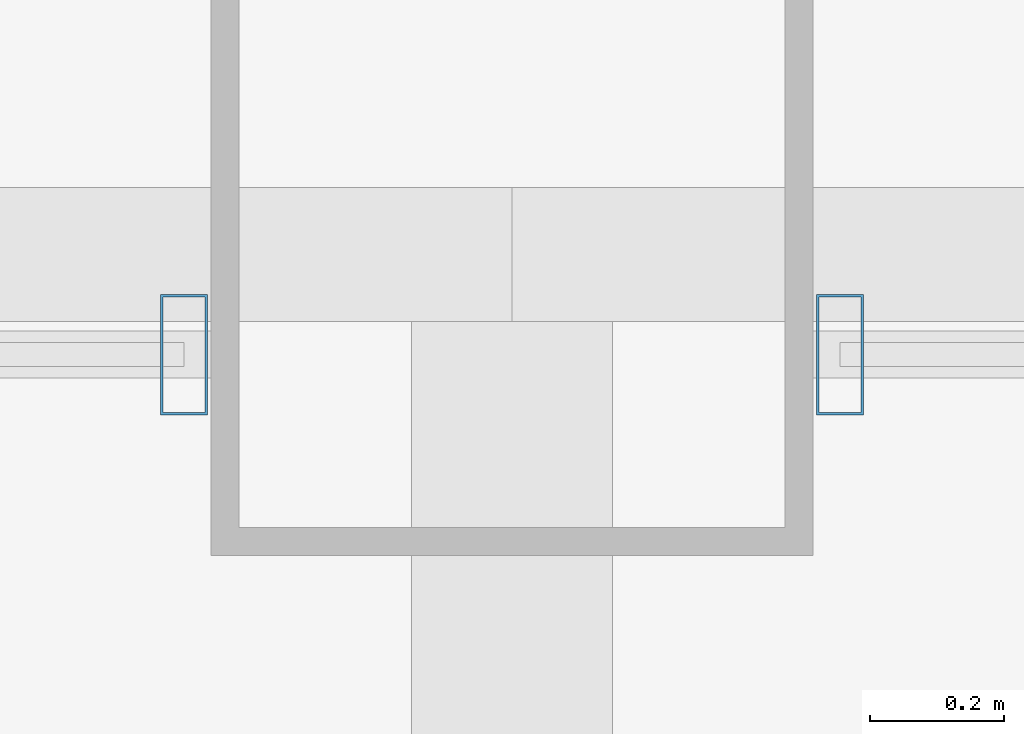
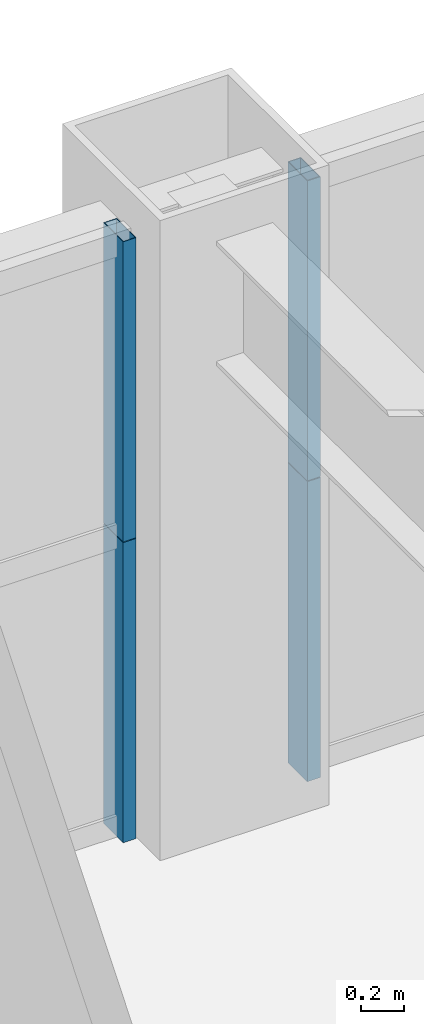
# One storey, part 26 of 38: 4 members, 2 elements without a shape of their own.
"""IFC4 building model written with IfcOpenShell, lengths in metres."""

from ifc_helpers import new_model, si_unit, direction, frame, origin, origin_2d, place, context, subcontext, project, spatial, hollow_rectangle, extrude, source, transform, mapped, material, layer, layer_set, material_profile, profile_set, type_object, element, aggregate, save


model = new_model("IFC4")

# Units and contexts
model_context = context("Model", 3, precision=1e-05, world=origin(), true_north=direction((0.0, 1.0)))
body_context = subcontext(model_context, "Body", "Model", "MODEL_VIEW")
ifc_project = project(units=[si_unit("LENGTHUNIT", "METRE"), si_unit("AREAUNIT", "SQUARE_METRE"), si_unit("VOLUMEUNIT", "CUBIC_METRE"), si_unit("PLANEANGLEUNIT", "RADIAN"), si_unit("MASSUNIT", "GRAM", prefix="KILO"), si_unit("THERMODYNAMICTEMPERATUREUNIT", "KELVIN"), si_unit("POWERUNIT", "WATT")], contexts=[model_context])

# Site, building, storey
site_placement = place(None, origin())
site = spatial("IfcSite", under=ifc_project, at=site_placement, CompositionType="ELEMENT")
building_placement = place(site_placement, origin())
building = spatial("IfcBuilding", under=site, at=building_placement, Name="Yuzanri Waterfront Tower", CompositionType="ELEMENT")
storey_placement = place(building_placement, frame((0.0, 0.0, 111.800048828125)))
storey = spatial("IfcBuildingStorey", under=building, at=storey_placement, Name="L29", CompositionType="ELEMENT", Elevation=111.800048828125)

# Curtain wall, members
ifc_material_1 = material(Name="Anodized Architectural Bronze", Category="metal")
ifc_layer = layer(ifc_material_1, 0.159912109375)
ifc_layer_set = layer_set([ifc_layer], Name="Anodized Architectural Bronze")
curtain_wall_type = type_object("IfcCurtainWallType", Name="Anodized Bronze Hotel Upper-Tier Solar-Control Unitized Curtain Wall 7800", PredefinedType="NOTDEFINED", material=ifc_layer_set)
curtain_wall_1_placement = place(storey_placement, origin())
curtain_wall_1 = element("IfcCurtainWall", 1, at=curtain_wall_1_placement, inside=storey, type_object=curtain_wall_type, Name="L29 Curtain Wall CW-L29-NL", PredefinedType="NOTDEFINED")
ifc_material_2 = material(Name="Anodized Architectural Bronze", Category="metal")
ifc_material_profile = material_profile(ifc_material_2, hollow_rectangle(XDim=0.070068359375, YDim=0.179931640625, WallThickness=0.00390625, at=origin_2d()), Name="CWM 70x180")
ifc_profile_set = profile_set([ifc_material_profile], Name="Anodized Architectural Bronze")
member_type = type_object("IfcMemberType", Name="Anodized Bronze Standard Curtain-Wall Mullion 70x180", PredefinedType="MULLION", material=ifc_profile_set)
shared_shape = source(origin(), body_context, "Body", "SweptSolid", [
    extrude(hollow_rectangle(XDim=0.070068359375, YDim=0.179931640625, WallThickness=0.00390625, at=origin_2d()), origin(), (0.0, 0.0, 1.0), 1.68798828125),
])
member_1_placement = place(storey_placement, frame((36.510009765625, 49.25, 0.0), z_axis=(0.0, 0.0, 1.0), x_axis=(1.0, 0.0, 0.0)))
member_1 = element("IfcMember", 2, at=member_1_placement, type_object=member_type, Name="CW-L29-NL Lower Mullion 02", PredefinedType="MULLION", context=body_context, shape_type="MappedRepresentation", body=[
    mapped(shared_shape, transform((0.0, 0.0, 0.0), scale=1.0)),
])
member_2_placement = place(storey_placement, frame((36.510009765625, 49.25, 1.69189453125), z_axis=(0.0, 0.0, 1.0), x_axis=(1.0, 0.0, 0.0)))
member_2 = element("IfcMember", 3, at=member_2_placement, type_object=member_type, Name="CW-L29-NL Upper Mullion 02", PredefinedType="MULLION", context=body_context, shape_type="MappedRepresentation", body=[
    mapped(shared_shape, transform((0.0, 0.0, 0.0), scale=1.0)),
])
aggregate(curtain_wall_1, [member_1, member_2])

curtain_wall_2_placement = place(storey_placement, origin())
curtain_wall_2 = element("IfcCurtainWall", 4, at=curtain_wall_2_placement, inside=storey, type_object=curtain_wall_type, Name="L29 Curtain Wall CW-L29-NR", PredefinedType="NOTDEFINED")
member_3_placement = place(storey_placement, frame((37.489990234375, 49.25, 0.0), z_axis=(0.0, 0.0, 1.0), x_axis=(1.0, 0.0, 0.0)))
member_3 = element("IfcMember", 5, at=member_3_placement, type_object=member_type, Name="CW-L29-NR Lower Mullion 00", PredefinedType="MULLION", context=body_context, shape_type="MappedRepresentation", body=[
    mapped(shared_shape, transform((0.0, 0.0, 0.0), scale=1.0)),
])
member_4_placement = place(storey_placement, frame((37.489990234375, 49.25, 1.69189453125), z_axis=(0.0, 0.0, 1.0), x_axis=(1.0, 0.0, 0.0)))
member_4 = element("IfcMember", 6, at=member_4_placement, type_object=member_type, Name="CW-L29-NR Upper Mullion 00", PredefinedType="MULLION", context=body_context, shape_type="MappedRepresentation", body=[
    mapped(shared_shape, transform((0.0, 0.0, 0.0), scale=1.0)),
])
aggregate(curtain_wall_2, [member_3, member_4])

save(model, "model.ifc")
